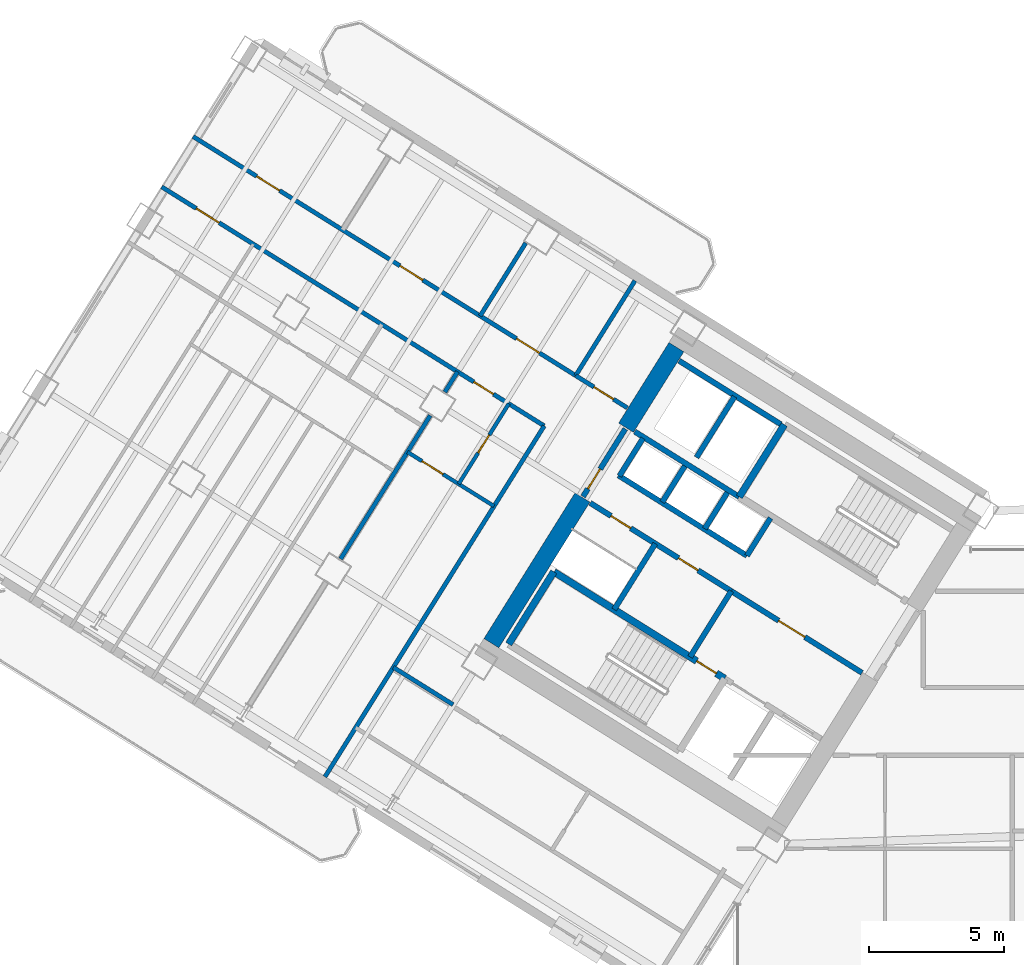
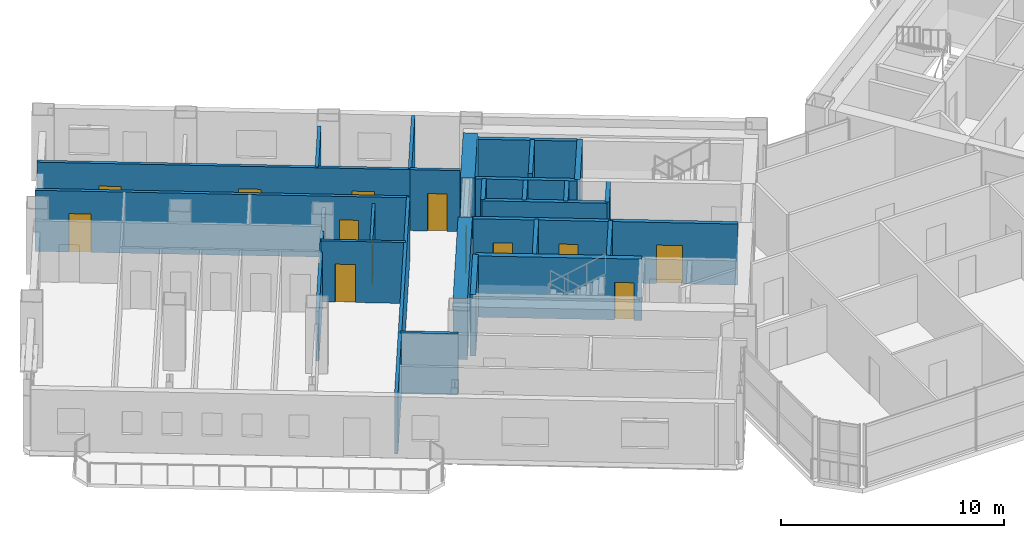
# One storey, part 16 of 24: 29 walls, 13 doors, 13 openings.
"""IFC4 building model written with IfcOpenShell, lengths in metres."""

from ifc_helpers import new_model, si_unit, direction, frame, frame_2d, origin, place, context, subcontext, project, spatial, rectangle, extrude, source, transform, mapped, material, layer, layer_set, type_object, element, fill, save


model = new_model("IFC4")

# Units and contexts
model_context = context("Model", 3, precision=1e-05, world=origin(), true_north=direction((0.0, 1.0)))
body_context = subcontext(model_context, "Body", "Model", "MODEL_VIEW")
ifc_project = project(units=[si_unit("LENGTHUNIT", "METRE"), si_unit("AREAUNIT", "SQUARE_METRE"), si_unit("VOLUMEUNIT", "CUBIC_METRE"), si_unit("PLANEANGLEUNIT", "RADIAN"), si_unit("MASSUNIT", "GRAM", prefix="KILO")], contexts=[model_context])

# Site, building, storey
site_placement = place(None, origin())
site = spatial("IfcSite", under=ifc_project, at=site_placement, CompositionType="ELEMENT")
building_placement = place(site_placement, origin())
building = spatial("IfcBuilding", under=site, at=building_placement, Name="Tlacorven Tower", CompositionType="ELEMENT")
storey_placement = place(building_placement, frame((0.0, 0.0, 31.199951171875)))
storey = spatial("IfcBuildingStorey", under=building, at=storey_placement, Name="L07", CompositionType="ELEMENT", Elevation=31.199951171875)

# Walls
ifc_material_1 = material(Name="Concrete C60/75", Category="concrete")
ifc_layer_1 = layer(ifc_material_1, 0.64990234375)
ifc_layer_set_1 = layer_set([ifc_layer_1], Name="Concrete C60/75")
wall_type_1 = type_object("IfcWallType", Name="WL-COR-650", PredefinedType="SHEAR", material=ifc_layer_set_1)
wall_1_placement = place(storey_placement, frame((29.49072265625, 30.5517578125, 0.0), z_axis=(0.0, 0.0, 1.0), x_axis=(-0.529893103397, -0.8480644427, 0.0)))
element("IfcWall", 1, at=wall_1_placement, inside=storey, type_object=wall_type_1, Name="L07 W core end wall E2.1", PredefinedType="SHEAR", context=body_context, shape_type="SweptSolid", body=[
    extrude(rectangle(XDim=3.525146484375, YDim=0.64990234375, at=frame_2d((1.7626953125, 0.0))), origin(), (0.0, 0.0, 1.0), 3.35009765625),
])
wall_2_placement = place(storey_placement, frame((26.006591796875, 24.975830078125, 0.0), z_axis=(0.0, 0.0, 1.0), x_axis=(-0.529916319127, -0.848049936456, 0.0)))
element("IfcWall", 2, at=wall_2_placement, inside=storey, type_object=wall_type_1, Name="L07 W core end wall E2.2", PredefinedType="SHEAR", context=body_context, shape_type="SweptSolid", body=[
    extrude(rectangle(XDim=6.375, YDim=0.64990234375, at=frame_2d((3.1875, 0.0))), origin(), (0.0, 0.0, 1.0), 3.35009765625),
])

# Wall, opening, door
ifc_material_2 = material(Name="Gypsum plasterboard acoustic partition", Category="gypsum")
ifc_layer_2 = layer(ifc_material_2, 0.159912109375)
ifc_layer_set_2 = layer_set([ifc_layer_2], Name="Gypsum plasterboard acoustic partition")
wall_type_2 = type_object("IfcWallType", Name="WL-DEM-160", PredefinedType="PARTITIONING", material=ifc_layer_set_2)
wall_3_placement = place(storey_placement, frame((27.668701171875, 28.300048828125, 0.0), z_axis=(0.0, 0.0, 1.0), x_axis=(-0.848040823168, 0.52993090327, 0.0)))
wall_3 = element("IfcWall", 3, at=wall_3_placement, inside=storey, type_object=wall_type_2, Name="L07 partition 47", PredefinedType="PARTITIONING", context=body_context, shape_type="SweptSolid", body=[
    extrude(rectangle(XDim=2.2578125, YDim=0.159912109375, at=frame_2d((1.12890625, 0.0))), origin(), (0.0, 0.0, 1.0), 3.340087890625),
])
opening_1_placement = place(wall_3_placement, frame((0.597900390625, 0.0, 0.0)))
opening_1 = element("IfcOpeningElement", 4, at=opening_1_placement, cuts=wall_3, Name="Opening D19", PredefinedType="OPENING", context=body_context, shape_type="SweptSolid", body=[
    extrude(rectangle(XDim=0.860107421875, YDim=2.050048828125, at=frame_2d((0.43017578125, 1.02490234375))), frame((0.0, 0.08984375, 0.0), z_axis=(0.0, -1.0, 0.0), x_axis=(1.0, 0.0, 0.0)), (0.0, 0.0, 1.0), 0.179931640625),
])
ifc_material_3 = material(Name="Fire-rated steel door assembly", Category="steel")
door_type_1 = type_object("IfcDoorType", Name="DR-RSR-FD60-0860", OperationType="NOTDEFINED", PredefinedType="DOOR", material=ifc_material_3)
shared_shape_1 = source(origin(), body_context, "Body", "SweptSolid", [
    extrude(rectangle(XDim=0.860107421875, YDim=2.050048828125, at=frame_2d((0.43017578125, 1.02490234375))), frame((0.0, 0.02490234375, 0.0), z_axis=(0.0, -1.0, 0.0), x_axis=(1.0, 0.0, 0.0)), (0.0, 0.0, 1.0), 0.050048828125),
])
door_1_placement = place(opening_1_placement, frame((0.860107421875, 0.0, 0.0), z_axis=(0.0, 0.0, 1.0), x_axis=(-1.0, 0.0, 0.0)))
door_1 = element("IfcDoor", 5, at=door_1_placement, inside=storey, type_object=door_type_1, Name="L07 door 019", OperationType="SINGLE_SWING_LEFT", OverallHeight=2.050048828125, OverallWidth=0.860107421875, PredefinedType="DOOR", context=body_context, shape_type="MappedRepresentation", body=[
    mapped(shared_shape_1, transform((0.0, 0.0, 0.0), scale=1.0)),
])
fill(opening_1, door_1)

# Walls
wall_4_placement = place(storey_placement, frame((21.20556640625, 17.29248046875, 0.0), z_axis=(0.0, 0.0, 1.0), x_axis=(-0.848050851465, 0.529914854792, 0.0)))
element("IfcWall", 6, at=wall_4_placement, inside=storey, type_object=wall_type_2, Name="L07 partition 48", PredefinedType="PARTITIONING", context=body_context, shape_type="SweptSolid", body=[
    extrude(rectangle(XDim=2.60986328125, YDim=0.159912109375, at=frame_2d((1.304931640625, 0.0))), origin(), (0.0, 0.0, 1.0), 3.340087890625),
])
wall_5_placement = place(storey_placement, frame((27.952880859375, 33.01611328125, 0.0), z_axis=(0.0, 0.0, 1.0), x_axis=(-0.529872022255, -0.848077614391, 0.0)))
element("IfcWall", 7, at=wall_5_placement, inside=storey, type_object=wall_type_2, Name="L07 partition 49", PredefinedType="PARTITIONING", context=body_context, shape_type="SweptSolid", body=[
    extrude(rectangle(XDim=4.14990234375, YDim=0.159912109375, at=frame_2d((2.074951171875, 0.0))), origin(), (0.0, 0.0, 1.0), 3.340087890625),
])
wall_6_placement = place(storey_placement, frame((24.587890625, 27.630859375, 0.0), z_axis=(0.0, 0.0, 1.0), x_axis=(-0.529914586043, -0.848051019396, 0.0)))
element("IfcWall", 8, at=wall_6_placement, inside=storey, type_object=wall_type_2, Name="L07 partition 50", PredefinedType="PARTITIONING", context=body_context, shape_type="SweptSolid", body=[
    extrude(rectangle(XDim=15.349609375, YDim=0.159912109375, at=frame_2d((7.6748046875, 0.0))), origin(), (0.0, 0.0, 1.0), 3.340087890625),
])

# Wall, openings, doors
wall_7_placement = place(storey_placement, frame((25.75390625, 29.49658203125, 0.0), z_axis=(0.0, 0.0, 1.0), x_axis=(-0.848045850158, 0.529922858565, 0.0)))
wall_7 = element("IfcWall", 9, at=wall_7_placement, inside=storey, type_object=wall_type_2, Name="L07 Wing W Corridor South Wall", PredefinedType="PARTITIONING", context=body_context, shape_type="SweptSolid", body=[
    extrude(rectangle(XDim=16.730224609375, YDim=0.159912109375, at=frame_2d((8.365234375, 0.0))), origin(), (0.0, 0.0, 1.0), 3.340087890625),
])
opening_2_placement = place(wall_7_placement, frame((1.58837890625, 0.0, 0.0)))
opening_2 = element("IfcOpeningElement", 10, at=opening_2_placement, cuts=wall_7, Name="Opening D11", PredefinedType="OPENING", context=body_context, shape_type="SweptSolid", body=[
    extrude(rectangle(XDim=1.0, YDim=2.10009765625, at=frame_2d((0.5, 1.050048828125))), frame((0.0, 0.08984375, 0.0), z_axis=(0.0, -1.0, 0.0), x_axis=(1.0, 0.0, 0.0)), (0.0, 0.0, 1.0), 0.179931640625),
])
opening_3_placement = place(wall_7_placement, frame((6.68505859375, 0.0, 0.0)))
opening_3 = element("IfcOpeningElement", 11, at=opening_3_placement, cuts=wall_7, Name="Opening D11", PredefinedType="OPENING", context=body_context, shape_type="SweptSolid", body=[
    extrude(rectangle(XDim=1.0, YDim=2.10009765625, at=frame_2d((0.5, 1.050048828125))), frame((0.0, 0.08984375, 0.0), z_axis=(0.0, -1.0, 0.0), x_axis=(1.0, 0.0, 0.0)), (0.0, 0.0, 1.0), 0.179931640625),
])
opening_4_placement = place(wall_7_placement, frame((12.951416015625, 0.0, 0.0)))
opening_4 = element("IfcOpeningElement", 12, at=opening_4_placement, cuts=wall_7, Name="Opening D11", PredefinedType="OPENING", context=body_context, shape_type="SweptSolid", body=[
    extrude(rectangle(XDim=1.0, YDim=2.10009765625, at=frame_2d((0.5, 1.050048828125))), frame((0.0, 0.08984375, 0.0), z_axis=(0.0, -1.0, 0.0), x_axis=(1.0, 0.0, 0.0)), (0.0, 0.0, 1.0), 0.179931640625),
])
door_type_2 = type_object("IfcDoorType", Name="DR-FLT-FD60-1000", OperationType="NOTDEFINED", PredefinedType="DOOR", material=ifc_material_3)
shared_shape_2 = source(origin(), body_context, "Body", "SweptSolid", [
    extrude(rectangle(XDim=1.0, YDim=2.10009765625, at=frame_2d((0.5, 1.050048828125))), frame((0.0, 0.02490234375, 0.0), z_axis=(0.0, -1.0, 0.0), x_axis=(1.0, 0.0, 0.0)), (0.0, 0.0, 1.0), 0.050048828125),
])
door_2_placement = place(opening_2_placement, frame((1.0, 0.0, 0.0), z_axis=(0.0, 0.0, 1.0), x_axis=(-1.0, 0.0, 0.0)))
door_2 = element("IfcDoor", 13, at=door_2_placement, inside=storey, type_object=door_type_2, Name="L07 door 035", OperationType="SINGLE_SWING_RIGHT", OverallHeight=2.10009765625, OverallWidth=1.0, PredefinedType="DOOR", context=body_context, shape_type="MappedRepresentation", body=[
    mapped(shared_shape_2, transform((0.0, 0.0, 0.0), scale=1.0)),
])
fill(opening_2, door_2)
door_3_placement = place(opening_3_placement, frame((1.0, 0.0, 0.0), z_axis=(0.0, 0.0, 1.0), x_axis=(-1.0, 0.0, 0.0)))
door_3 = element("IfcDoor", 14, at=door_3_placement, inside=storey, type_object=door_type_2, Name="L07 door 036", OperationType="SINGLE_SWING_LEFT", OverallHeight=2.10009765625, OverallWidth=1.0, PredefinedType="DOOR", context=body_context, shape_type="MappedRepresentation", body=[
    mapped(shared_shape_2, transform((0.0, 0.0, 0.0), scale=1.0)),
])
fill(opening_3, door_3)
door_4_placement = place(opening_4_placement, frame((1.0, 0.0, 0.0), z_axis=(0.0, 0.0, 1.0), x_axis=(-1.0, 0.0, 0.0)))
door_4 = element("IfcDoor", 15, at=door_4_placement, inside=storey, type_object=door_type_2, Name="L07 door 037", OperationType="SINGLE_SWING_RIGHT", OverallHeight=2.10009765625, OverallWidth=1.0, PredefinedType="DOOR", context=body_context, shape_type="MappedRepresentation", body=[
    mapped(shared_shape_2, transform((0.0, 0.0, 0.0), scale=1.0)),
])
fill(opening_4, door_4)

wall_8_placement = place(storey_placement, frame((24.587890625, 27.630859375, 0.0), z_axis=(0.0, 0.0, 1.0), x_axis=(-0.848041752158, 0.529929416617, 0.0)))
wall_8 = element("IfcWall", 16, at=wall_8_placement, inside=storey, type_object=wall_type_2, Name="L07 Wing W Corridor North Wall", PredefinedType="PARTITIONING", context=body_context, shape_type="SweptSolid", body=[
    extrude(rectangle(XDim=16.72998046875, YDim=0.159912109375, at=frame_2d((8.364990234375, 0.0))), origin(), (0.0, 0.0, 1.0), 3.340087890625),
])
opening_5_placement = place(wall_8_placement, frame((2.219970703125, 0.0, 0.0)))
opening_5 = element("IfcOpeningElement", 17, at=opening_5_placement, cuts=wall_8, Name="Opening D19", PredefinedType="OPENING", context=body_context, shape_type="SweptSolid", body=[
    extrude(rectangle(XDim=0.860107421875, YDim=2.050048828125, at=frame_2d((0.43017578125, 1.02490234375))), frame((0.0, 0.08984375, 0.0), z_axis=(0.0, -1.0, 0.0), x_axis=(1.0, 0.0, 0.0)), (0.0, 0.0, 1.0), 0.179931640625),
])
opening_6_placement = place(wall_8_placement, frame((14.219970703125, 0.0, 0.0)))
opening_6 = element("IfcOpeningElement", 18, at=opening_6_placement, cuts=wall_8, Name="Opening D11", PredefinedType="OPENING", context=body_context, shape_type="SweptSolid", body=[
    extrude(rectangle(XDim=1.0, YDim=2.10009765625, at=frame_2d((0.5, 1.050048828125))), frame((0.0, 0.08984375, 0.0), z_axis=(0.0, -1.0, 0.0), x_axis=(1.0, 0.0, 0.0)), (0.0, 0.0, 1.0), 0.179931640625),
])
door_5_placement = place(opening_5_placement, origin())
door_5 = element("IfcDoor", 19, at=door_5_placement, inside=storey, type_object=door_type_1, Name="L07 door 021", OperationType="SINGLE_SWING_LEFT", OverallHeight=2.050048828125, OverallWidth=0.860107421875, PredefinedType="DOOR", context=body_context, shape_type="MappedRepresentation", body=[
    mapped(shared_shape_1, transform((0.0, 0.0, 0.0), scale=1.0)),
])
fill(opening_5, door_5)
door_6_placement = place(opening_6_placement, origin())
door_6 = element("IfcDoor", 20, at=door_6_placement, inside=storey, type_object=door_type_2, Name="L07 door 025", OperationType="SINGLE_SWING_RIGHT", OverallHeight=2.10009765625, OverallWidth=1.0, PredefinedType="DOOR", context=body_context, shape_type="MappedRepresentation", body=[
    mapped(shared_shape_2, transform((0.0, 0.0, 0.0), scale=1.0)),
])
fill(opening_6, door_6)

# Walls
wall_9_placement = place(storey_placement, frame((21.3740234375, 29.639404296875, 0.0), z_axis=(0.0, 0.0, 1.0), x_axis=(-0.529974231203, -0.848013746505, 0.0)))
element("IfcWall", 21, at=wall_9_placement, inside=storey, type_object=wall_type_2, Name="L07 WN Demising Wall 1", PredefinedType="PARTITIONING", context=body_context, shape_type="SweptSolid", body=[
    extrude(rectangle(XDim=0.88818359375, YDim=0.159912109375, at=frame_2d((0.444091796875, 0.0))), origin(), (0.0, 0.0, 1.0), 2.72509765625),
])
wall_10_placement = place(storey_placement, frame((20.360595703125, 28.017822265625, 0.0), z_axis=(0.0, 0.0, 1.0), x_axis=(-0.529915015264, -0.848050751193, 0.0)))
element("IfcWall", 22, at=wall_10_placement, inside=storey, type_object=wall_type_2, Name="L07 WN Demising Wall 1", PredefinedType="PARTITIONING", context=body_context, shape_type="SweptSolid", body=[
    extrude(rectangle(XDim=6.27587890625, YDim=0.159912109375, at=frame_2d((3.137939453125, 0.0))), origin(), (0.0, 0.0, 1.0), 2.72509765625),
])
wall_11_placement = place(storey_placement, frame((23.90087890625, 34.413818359375, 0.0), z_axis=(0.0, 0.0, 1.0), x_axis=(-0.529930102756, -0.848041323399, 0.0)))
element("IfcWall", 23, at=wall_11_placement, inside=storey, type_object=wall_type_2, Name="L07 partition 67", PredefinedType="PARTITIONING", context=body_context, shape_type="SweptSolid", body=[
    extrude(rectangle(XDim=3.18798828125, YDim=0.159912109375, at=frame_2d((1.593994140625, 0.0))), origin(), (0.0, 0.0, 1.0), 3.340087890625),
])

# Wall, opening, door
ifc_material_4 = material(Name="Moisture-resistant gypsum plumbing wall", Category="gypsum")
ifc_layer_3 = layer(ifc_material_4, 0.139892578125)
ifc_layer_set_3 = layer_set([ifc_layer_3], Name="Moisture-resistant gypsum plumbing wall")
wall_type_3 = type_object("IfcWallType", Name="WL-PLM-140", PredefinedType="PLUMBINGWALL", material=ifc_layer_set_3)
wall_12_placement = place(storey_placement, frame((22.72802734375, 24.654296875, 0.0), z_axis=(0.0, 0.0, 1.0), x_axis=(-0.848059820872, 0.529900500304, 0.0)))
wall_12 = element("IfcWall", 24, at=wall_12_placement, inside=storey, type_object=wall_type_3, Name="L07 partition 55", PredefinedType="PLUMBINGWALL", context=body_context, shape_type="SweptSolid", body=[
    extrude(rectangle(XDim=3.7900390625, YDim=0.139892578125, at=frame_2d((1.89501953125, 0.0))), origin(), (0.0, 0.0, 1.0), 3.340087890625),
])
opening_7_placement = place(wall_12_placement, frame((2.22998046875, 0.0, 0.0)))
opening_7 = element("IfcOpeningElement", 25, at=opening_7_placement, cuts=wall_12, Name="Opening D12", PredefinedType="OPENING", context=body_context, shape_type="SweptSolid", body=[
    extrude(rectangle(XDim=0.919921875, YDim=2.080078125, at=frame_2d((0.4599609375, 1.0400390625))), frame((0.0, 0.080078125, 0.0), z_axis=(0.0, -1.0, 0.0), x_axis=(1.0, 0.0, 0.0)), (0.0, 0.0, 1.0), 0.159912109375),
])
ifc_material_5 = material(Name="Powder-coated aluminium and timber door", Category="wood")
door_type_3 = type_object("IfcDoorType", Name="DR-INT-ROOM-0920", OperationType="NOTDEFINED", PredefinedType="DOOR", material=ifc_material_5)
shared_shape_3 = source(origin(), body_context, "Body", "SweptSolid", [
    extrude(rectangle(XDim=0.919921875, YDim=2.080078125, at=frame_2d((0.4599609375, 1.0400390625))), frame((0.0, 0.02490234375, 0.0), z_axis=(0.0, -1.0, 0.0), x_axis=(1.0, 0.0, 0.0)), (0.0, 0.0, 1.0), 0.050048828125),
])
door_7_placement = place(opening_7_placement, origin())
door_7 = element("IfcDoor", 26, at=door_7_placement, inside=storey, type_object=door_type_3, Name="L07 door 022", OperationType="SINGLE_SWING_LEFT", OverallHeight=2.080078125, OverallWidth=0.919921875, PredefinedType="DOOR", context=body_context, shape_type="MappedRepresentation", body=[
    mapped(shared_shape_3, transform((0.0, 0.0, 0.0), scale=1.0)),
])
fill(opening_7, door_7)

wall_13_placement = place(storey_placement, frame((23.2734375, 28.452392578125, 0.0), z_axis=(0.0, 0.0, 1.0), x_axis=(-0.529867639402, -0.848080352747, 0.0)))
wall_13 = element("IfcWall", 27, at=wall_13_placement, inside=storey, type_object=wall_type_3, Name="L07 partition 56", PredefinedType="PLUMBINGWALL", context=body_context, shape_type="SweptSolid", body=[
    extrude(rectangle(XDim=3.510009765625, YDim=0.139892578125, at=frame_2d((1.7548828125, 0.0))), origin(), (0.0, 0.0, 1.0), 2.9951171875),
])
opening_8_placement = place(wall_13_placement, frame((1.364990234375, 0.0, 0.0)))
opening_8 = element("IfcOpeningElement", 28, at=opening_8_placement, cuts=wall_13, Name="Opening D22", PredefinedType="OPENING", context=body_context, shape_type="SweptSolid", body=[
    extrude(rectangle(XDim=0.780029296875, YDim=2.050048828125, at=frame_2d((0.39013671875, 1.02490234375))), frame((0.0, 0.080078125, 0.0), z_axis=(0.0, -1.0, 0.0), x_axis=(1.0, 0.0, 0.0)), (0.0, 0.0, 1.0), 0.159912109375),
])
door_type_4 = type_object("IfcDoorType", Name="DR-INT-WET-0780", OperationType="NOTDEFINED", PredefinedType="DOOR", material=ifc_material_5)
shared_shape_4 = source(origin(), body_context, "Body", "SweptSolid", [
    extrude(rectangle(XDim=0.780029296875, YDim=2.050048828125, at=frame_2d((0.39013671875, 1.02490234375))), frame((0.0, 0.02490234375, 0.0), z_axis=(0.0, -1.0, 0.0), x_axis=(1.0, 0.0, 0.0)), (0.0, 0.0, 1.0), 0.050048828125),
])
door_8_placement = place(opening_8_placement, origin())
door_8 = element("IfcDoor", 29, at=door_8_placement, inside=storey, type_object=door_type_4, Name="L07 door 023", OperationType="SINGLE_SWING_RIGHT", OverallHeight=2.050048828125, OverallWidth=0.780029296875, PredefinedType="DOOR", context=body_context, shape_type="MappedRepresentation", body=[
    mapped(shared_shape_4, transform((0.0, 0.0, 0.0), scale=1.0)),
])
fill(opening_8, door_8)

ifc_material_6 = material(Name="Concrete C40/50", Category="concrete")
ifc_layer_4 = layer(ifc_material_6, 0.199951171875)
ifc_layer_set_4 = layer_set([ifc_layer_4], Name="Concrete C40/50")
wall_type_4 = type_object("IfcWallType", Name="WL-SHF-200", PredefinedType="STANDARD", material=ifc_layer_set_4)
wall_14_placement = place(storey_placement, frame((36.374267578125, 18.4736328125, 0.0), z_axis=(0.0, 0.0, 1.0), x_axis=(-0.848051071577, 0.529914502535, 0.0)))
wall_14 = element("IfcWall", 30, at=wall_14_placement, inside=storey, type_object=wall_type_4, Name="L07 Core W Smoke Lobby Wall", PredefinedType="STANDARD", context=body_context, shape_type="SweptSolid", body=[
    extrude(rectangle(XDim=5.718017578125, YDim=0.199951171875, at=frame_2d((2.85888671875, 0.0))), origin(), (0.0, 0.0, 1.0), 3.340087890625),
])
opening_9_placement = place(wall_14_placement, frame((2.498046875, 0.0, 0.0)))
opening_9 = element("IfcOpeningElement", 31, at=opening_9_placement, cuts=wall_14, Name="Opening D09", PredefinedType="OPENING", context=body_context, shape_type="SweptSolid", body=[
    extrude(rectangle(XDim=1.14990234375, YDim=2.10009765625, at=frame_2d((0.574951171875, 1.050048828125))), frame((0.0, 0.10986328125, 0.0), z_axis=(0.0, -1.0, 0.0), x_axis=(1.0, 0.0, 0.0)), (0.0, 0.0, 1.0), 0.219970703125),
])
door_type_5 = type_object("IfcDoorType", Name="DR-FFL-FD60-1150", OperationType="NOTDEFINED", PredefinedType="DOOR", material=ifc_material_3)
shared_shape_5 = source(origin(), body_context, "Body", "SweptSolid", [
    extrude(rectangle(XDim=1.14990234375, YDim=2.10009765625, at=frame_2d((0.574951171875, 1.050048828125))), frame((0.0, 0.02490234375, 0.0), z_axis=(0.0, -1.0, 0.0), x_axis=(1.0, 0.0, 0.0)), (0.0, 0.0, 1.0), 0.050048828125),
])
door_9_placement = place(opening_9_placement, origin())
door_9 = element("IfcDoor", 32, at=door_9_placement, inside=storey, type_object=door_type_5, Name="L07 Firefighting Lobby W Fire Door", OperationType="SINGLE_SWING_LEFT", OverallHeight=2.10009765625, OverallWidth=1.14990234375, PredefinedType="DOOR", context=body_context, shape_type="MappedRepresentation", body=[
    mapped(shared_shape_5, transform((0.0, 0.0, 0.0), scale=1.0)),
])
fill(opening_9, door_9)

# Walls
wall_15_placement = place(storey_placement, frame((31.82177734375, 24.99755859375, 0.0), z_axis=(0.0, 0.0, 1.0), x_axis=(-0.848058348634, 0.529902856485, 0.0)))
element("IfcWall", 33, at=wall_15_placement, inside=storey, type_object=wall_type_4, Name="L07 Core W South Lift Shaft Wall", PredefinedType="STANDARD", context=body_context, shape_type="SweptSolid", body=[
    extrude(rectangle(XDim=4.568115234375, YDim=0.199951171875, at=frame_2d((2.2841796875, 0.0))), origin(), (0.0, 0.0, 1.0), 3.340087890625),
])
wall_16_placement = place(storey_placement, frame((32.108154296875, 22.81396484375, 0.0), z_axis=(0.0, 0.0, 1.0), x_axis=(-0.848042229521, 0.529928652696, 0.0)))
element("IfcWall", 34, at=wall_16_placement, inside=storey, type_object=wall_type_4, Name="L07 partition 11", PredefinedType="STANDARD", context=body_context, shape_type="SweptSolid", body=[
    extrude(rectangle(XDim=5.6201171875, YDim=0.199951171875, at=frame_2d((2.81005859375, 0.0))), origin(), (0.0, 0.0, 1.0), 3.340087890625),
])
wall_17_placement = place(storey_placement, frame((32.982421875, 24.21337890625, 0.0), z_axis=(0.0, 0.0, 1.0), x_axis=(-0.529839334948, -0.84809803628, 0.0)))
element("IfcWall", 35, at=wall_17_placement, inside=storey, type_object=wall_type_4, Name="L07 partition 12", PredefinedType="STANDARD", context=body_context, shape_type="SweptSolid", body=[
    extrude(rectangle(XDim=1.650146484375, YDim=0.199951171875, at=frame_2d((0.8251953125, 0.0))), origin(), (0.0, 0.0, 1.0), 3.340087890625),
])
wall_18_placement = place(storey_placement, frame((28.250244140625, 27.170166015625, 0.0), z_axis=(0.0, 0.0, 1.0), x_axis=(-0.529905827651, -0.848056492117, 0.0)))
element("IfcWall", 36, at=wall_18_placement, inside=storey, type_object=wall_type_4, Name="L07 partition 13", PredefinedType="STANDARD", context=body_context, shape_type="SweptSolid", body=[
    extrude(rectangle(XDim=1.64990234375, YDim=0.199951171875, at=frame_2d((0.824951171875, 0.0))), origin(), (0.0, 0.0, 1.0), 3.340087890625),
])
wall_19_placement = place(storey_placement, frame((31.645263671875, 28.716064453125, 0.0), z_axis=(0.0, 0.0, 1.0), x_axis=(-0.52986693015, -0.848080795876, 0.0)))
element("IfcWall", 37, at=wall_19_placement, inside=storey, type_object=wall_type_4, Name="L07 partition 15", PredefinedType="STANDARD", context=body_context, shape_type="SweptSolid", body=[
    extrude(rectangle(XDim=2.659912109375, YDim=0.199951171875, at=frame_2d((1.330078125, 0.0))), origin(), (0.0, 0.0, 1.0), 3.340087890625),
])
wall_20_placement = place(storey_placement, frame((33.362548828125, 27.690185546875, 0.0), z_axis=(0.0, 0.0, 1.0), x_axis=(-0.848053806312, 0.529910125964, 0.0)))
element("IfcWall", 38, at=wall_20_placement, inside=storey, type_object=wall_type_4, Name="L07 partition 17", PredefinedType="STANDARD", context=body_context, shape_type="SweptSolid", body=[
    extrude(rectangle(XDim=4.44775390625, YDim=0.199951171875, at=frame_2d((2.223876953125, 0.0))), origin(), (0.0, 0.0, 1.0), 3.340087890625),
])
for number, where, z_axis, x_axis, name in (
    (39, (31.378662109375, 25.156494140625, 0.0), (0.0, 0.0, 1.0), (-0.529998940003, -0.847998304005, 0.0), "L07 partition 18"),
    (40, (29.80126953125, 26.14208984375, 0.0), (0.0, 0.0, 1.0), (-0.529998940003, -0.847998304005, 0.0), "L07 partition 19"),
):
    element("IfcWall", number, at=place(storey_placement, frame(where, z_axis=z_axis, x_axis=x_axis)), inside=storey, type_object=wall_type_4, Name=name, PredefinedType="STANDARD", context=body_context, shape_type="SweptSolid", body=[
        extrude(rectangle(XDim=1.580078125, YDim=0.199951171875, at=frame_2d((0.7900390625, 0.0))), origin(), (0.0, 0.0, 1.0), 3.340087890625),
    ])
for number, where, z_axis, x_axis, name in (
    (41, (31.525146484375, 21.503662109375, 0.0), (0.0, 0.0, 1.0), (-0.529907497854, -0.848055448493, 0.0), "L07 partition 20"),
    (42, (28.709716796875, 23.26318359375, 0.0), (0.0, 0.0, 1.0), (-0.529907497854, -0.848055448493, 0.0), "L07 partition 21"),
):
    element("IfcWall", number, at=place(storey_placement, frame(where, z_axis=z_axis, x_axis=x_axis)), inside=storey, type_object=wall_type_4, Name=name, PredefinedType="STANDARD", context=body_context, shape_type="SweptSolid", body=[
        extrude(rectangle(XDim=2.8798828125, YDim=0.199951171875, at=frame_2d((1.43994140625, 0.0))), origin(), (0.0, 0.0, 1.0), 3.340087890625),
    ])

# Wall, openings, doors
wall_21_placement = place(storey_placement, frame((31.525146484375, 21.503662109375, 0.0), z_axis=(0.0, 0.0, 1.0), x_axis=(-0.848044998614, 0.529924221305, 0.0)))
wall_21 = element("IfcWall", 43, at=wall_21_placement, inside=storey, type_object=wall_type_4, Name="L07 Core W North Service Wall", PredefinedType="STANDARD", context=body_context, shape_type="SweptSolid", body=[
    extrude(rectangle(XDim=6.16796875, YDim=0.199951171875, at=frame_2d((3.083984375, 0.0))), origin(), (0.0, 0.0, 1.0), 3.340087890625),
])
opening_10_placement = place(wall_21_placement, frame((4.39990234375, 0.0, 0.0)))
opening_10 = element("IfcOpeningElement", 44, at=opening_10_placement, cuts=wall_21, Name="Opening D19", PredefinedType="OPENING", context=body_context, shape_type="SweptSolid", body=[
    extrude(rectangle(XDim=0.860107421875, YDim=2.050048828125, at=frame_2d((0.43017578125, 1.02490234375))), frame((0.0, 0.10986328125, 0.0), z_axis=(0.0, -1.0, 0.0), x_axis=(1.0, 0.0, 0.0)), (0.0, 0.0, 1.0), 0.219970703125),
])
opening_11_placement = place(wall_21_placement, frame((1.449951171875, 0.0, 0.0)))
opening_11 = element("IfcOpeningElement", 45, at=opening_11_placement, cuts=wall_21, Name="Opening D19", PredefinedType="OPENING", context=body_context, shape_type="SweptSolid", body=[
    extrude(rectangle(XDim=0.860107421875, YDim=2.050048828125, at=frame_2d((0.43017578125, 1.02490234375))), frame((0.0, 0.10986328125, 0.0), z_axis=(0.0, -1.0, 0.0), x_axis=(1.0, 0.0, 0.0)), (0.0, 0.0, 1.0), 0.219970703125),
])
door_10_placement = place(opening_10_placement, frame((0.860107421875, 0.0, 0.0), z_axis=(0.0, 0.0, 1.0), x_axis=(-1.0, 0.0, 0.0)))
door_10 = element("IfcDoor", 46, at=door_10_placement, inside=storey, type_object=door_type_1, Name="L07 Electrical Riser Access Door W", OperationType="SINGLE_SWING_RIGHT", OverallHeight=2.050048828125, OverallWidth=0.860107421875, PredefinedType="DOOR", context=body_context, shape_type="MappedRepresentation", body=[
    mapped(shared_shape_1, transform((0.0, 0.0, 0.0), scale=1.0)),
])
fill(opening_10, door_10)
door_11_placement = place(opening_11_placement, frame((0.860107421875, 0.0, 0.0), z_axis=(0.0, 0.0, 1.0), x_axis=(-1.0, 0.0, 0.0)))
door_11 = element("IfcDoor", 47, at=door_11_placement, inside=storey, type_object=door_type_1, Name="L07 Housekeeping Linen Access Door W", OperationType="SINGLE_SWING_LEFT", OverallHeight=2.050048828125, OverallWidth=0.860107421875, PredefinedType="DOOR", context=body_context, shape_type="MappedRepresentation", body=[
    mapped(shared_shape_1, transform((0.0, 0.0, 0.0), scale=1.0)),
])
fill(opening_11, door_11)

# Wall, opening, door
wall_22_placement = place(storey_placement, frame((27.59619140625, 27.52001953125, 0.0), z_axis=(0.0, 0.0, 1.0), x_axis=(-0.529865479138, -0.848081702443, 0.0)))
wall_22 = element("IfcWall", 48, at=wall_22_placement, inside=storey, type_object=wall_type_4, Name="L07 partition 46", PredefinedType="STANDARD", context=body_context, shape_type="SweptSolid", body=[
    extrude(rectangle(XDim=2.9599609375, YDim=0.199951171875, at=frame_2d((1.47998046875, 0.0))), origin(), (0.0, 0.0, 1.0), 3.340087890625),
])
opening_12_placement = place(wall_22_placement, frame((1.760009765625, 0.0, 0.0)))
opening_12 = element("IfcOpeningElement", 49, at=opening_12_placement, cuts=wall_22, Name="Opening D19", PredefinedType="OPENING", context=body_context, shape_type="SweptSolid", body=[
    extrude(rectangle(XDim=0.860107421875, YDim=2.050048828125, at=frame_2d((0.43017578125, 1.02490234375))), frame((0.0, 0.10986328125, 0.0), z_axis=(0.0, -1.0, 0.0), x_axis=(1.0, 0.0, 0.0)), (0.0, 0.0, 1.0), 0.219970703125),
])
door_12_placement = place(opening_12_placement, origin())
door_12 = element("IfcDoor", 50, at=door_12_placement, inside=storey, type_object=door_type_1, Name="L07 door 020", OperationType="SINGLE_SWING_LEFT", OverallHeight=2.050048828125, OverallWidth=0.860107421875, PredefinedType="DOOR", context=body_context, shape_type="MappedRepresentation", body=[
    mapped(shared_shape_1, transform((0.0, 0.0, 0.0), scale=1.0)),
])
fill(opening_12, door_12)

ifc_material_7 = material(Name="Concrete C50/60", Category="concrete")
ifc_layer_5 = layer(ifc_material_7, 0.260009765625)
ifc_layer_set_5 = layer_set([ifc_layer_5], Name="Concrete C50/60")
wall_type_5 = type_object("IfcWallType", Name="WL-STW-260", PredefinedType="SHEAR", material=ifc_layer_set_5)
wall_23_placement = place(storey_placement, frame((31.279541015625, 18.26123046875, 0.0), z_axis=(0.0, 0.0, 1.0), x_axis=(-0.848051618787, 0.529913626805, 0.0)))
wall_23 = element("IfcWall", 51, at=wall_23_placement, inside=storey, type_object=wall_type_5, Name="L07 Stair W1 Lobby Shear Wall", PredefinedType="SHEAR", context=body_context, shape_type="SweptSolid", body=[
    extrude(rectangle(XDim=7.4599609375, YDim=0.260009765625, at=frame_2d((3.72998046875, 0.0))), origin(), (0.0, 0.0, 1.0), 3.35009765625),
])
opening_13_placement = place(wall_23_placement, frame((0.360107421875, 0.0, 0.0)))
opening_13 = element("IfcOpeningElement", 52, at=opening_13_placement, cuts=wall_23, Name="Opening D19", PredefinedType="OPENING", context=body_context, shape_type="SweptSolid", body=[
    extrude(rectangle(XDim=0.860107421875, YDim=2.050048828125, at=frame_2d((0.43017578125, 1.02490234375))), frame((0.0, 0.14013671875, 0.0), z_axis=(0.0, -1.0, 0.0), x_axis=(1.0, 0.0, 0.0)), (0.0, 0.0, 1.0), 0.280029296875),
])
door_13_placement = place(opening_13_placement, frame((0.860107421875, 0.0, 0.0), z_axis=(0.0, 0.0, 1.0), x_axis=(-1.0, 0.0, 0.0)))
door_13 = element("IfcDoor", 53, at=door_13_placement, inside=storey, type_object=door_type_1, Name="L07 Exit Stair W1 Fire Door", OperationType="SINGLE_SWING_LEFT", OverallHeight=2.050048828125, OverallWidth=0.860107421875, PredefinedType="DOOR", context=body_context, shape_type="MappedRepresentation", body=[
    mapped(shared_shape_1, transform((0.0, 0.0, 0.0), scale=1.0)),
])
fill(opening_13, door_13)

# Walls
for number, where, z_axis, x_axis, name in (
    (54, (24.944580078125, 22.2197265625, 0.0), (0.0, 0.0, 1.0), (-0.529908658664, -0.84805472316, 0.0), "L07 Stair W1 East Shear Wall"),
    (55, (33.496337890625, 27.677490234375, 0.0), (0.0, 0.0, 1.0), (-0.529908658664, -0.84805472316, 0.0), "L07 Stair W2 East Shear Wall"),
):
    element("IfcWall", number, at=place(storey_placement, frame(where, z_axis=z_axis, x_axis=x_axis)), inside=storey, type_object=wall_type_5, Name=name, PredefinedType="SHEAR", context=body_context, shape_type="SweptSolid", body=[
        extrude(rectangle(XDim=3.16015625, YDim=0.260009765625, at=frame_2d((1.580078125, 0.0))), origin(), (0.0, 0.0, 1.0), 3.35009765625),
    ])

save(model, "model.ifc")
